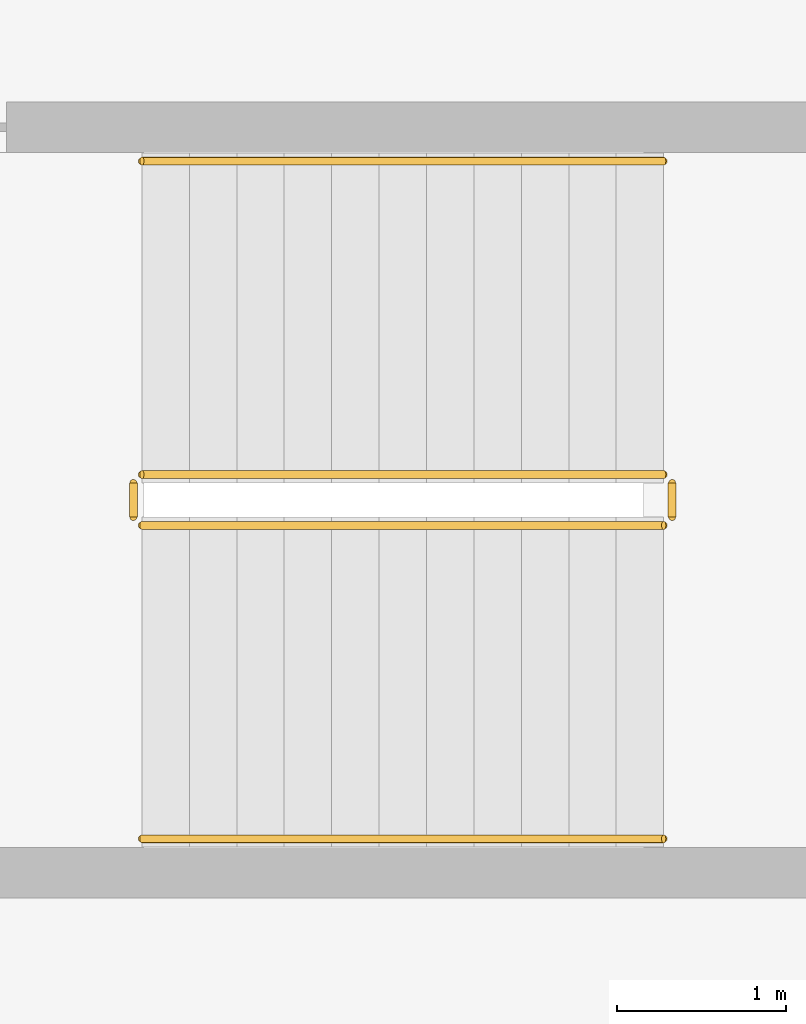
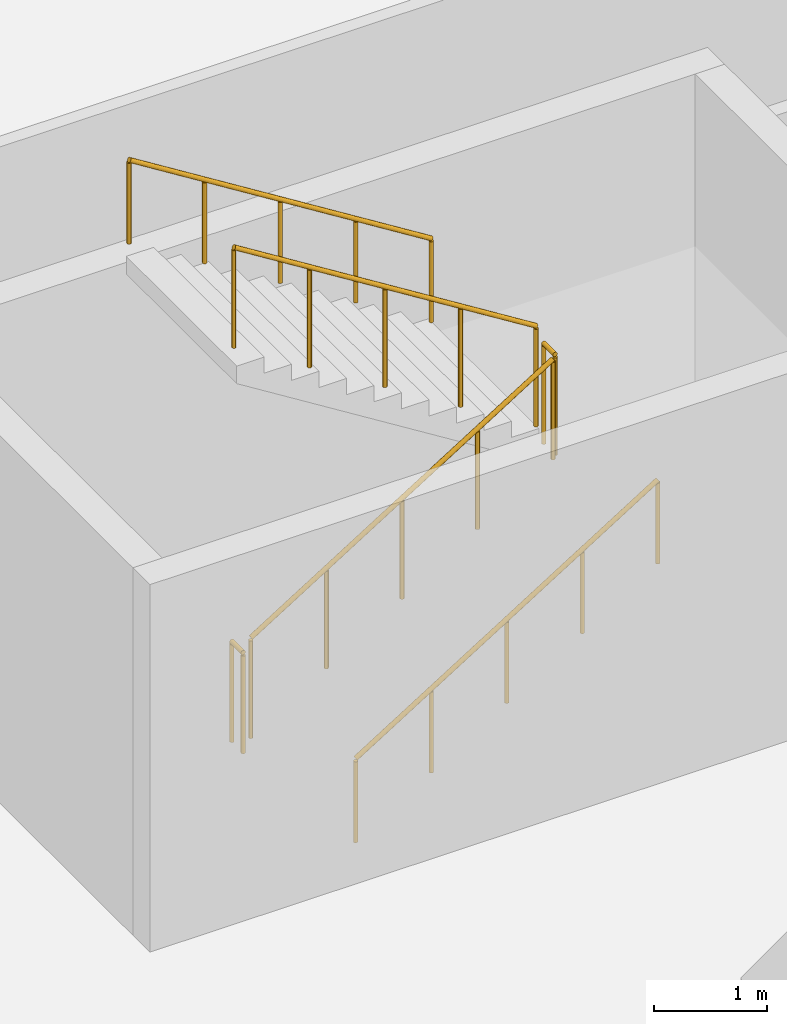
# One storey, part 105 of 107: 6 railings.
"""IFC4 building model written with IfcOpenShell, lengths in metres."""

from ifc_helpers import new_model, si_unit, direction, frame, origin, origin_2d, place, context, subcontext, project, spatial, circle, extrude, material, layer, layer_set, type_object, element, save


model = new_model("IFC4")

# Units and contexts
model_context = context("Model", 3, precision=1e-05, world=origin(), true_north=direction((0.0, 1.0)))
body_context = subcontext(model_context, "Body", "Model", "MODEL_VIEW")
ifc_project = project(units=[si_unit("LENGTHUNIT", "METRE"), si_unit("AREAUNIT", "SQUARE_METRE"), si_unit("VOLUMEUNIT", "CUBIC_METRE"), si_unit("PLANEANGLEUNIT", "RADIAN"), si_unit("MASSUNIT", "GRAM", prefix="KILO")], contexts=[model_context])

# Site, building, storey
site_placement = place(None, origin())
site = spatial("IfcSite", under=ifc_project, at=site_placement, CompositionType="ELEMENT")
building_placement = place(site_placement, origin())
building = spatial("IfcBuilding", under=site, at=building_placement, Name="Chiffa Square Polytechnic", CompositionType="ELEMENT")
storey_placement = place(building_placement, frame((0.0, 0.0, 13.800048828125)))
storey = spatial("IfcBuildingStorey", under=building, at=storey_placement, Name="L03", CompositionType="ELEMENT", Elevation=13.800048828125)

# Railings
ifc_material = material(Name="Steel S355", Category="steel")
ifc_layer_1 = layer(ifc_material, 0.050048828125, Name="Steel S355")
ifc_layer_set_1 = layer_set([ifc_layer_1], Name="Steel S355")
railing_type_1 = type_object("IfcRailingType", Name="RL-STAIR-GUARD", PredefinedType="GUARDRAIL", material=ifc_layer_set_1)
railing_1_placement = place(storey_placement, frame((96.199951171875, 110.60009765625, 0.175048828125)))
element("IfcRailing", 1, at=railing_1_placement, inside=storey, type_object=railing_type_1, Name="L03 ST-V5B stair guard 1", PredefinedType="GUARDRAIL", context=body_context, shape_type="SweptSolid", body=[
    extrude(circle(Radius=0.02392578125, at=origin_2d()), frame((0.0, 0.0, 1.076171875), z_axis=(0.848028513186, 0.0, 0.529950602248), x_axis=(0.0, 1.0, 0.0)), (0.0, 0.0, 1.0), 3.632080078125),
    extrude(circle(Radius=0.02099609375, at=origin_2d()), origin(), (0.0, 0.0, 1.0), 1.052001953125),
    extrude(circle(Radius=0.02099609375, at=origin_2d()), frame((0.77001953125, 0.0, 0.481201171875)), (0.0, 0.0, 1.0), 1.052001953125),
    extrude(circle(Radius=0.02099609375, at=origin_2d()), frame((1.5400390625, 0.0, 0.96240234375)), (0.0, 0.0, 1.0), 1.052001953125),
    extrude(circle(Radius=0.02099609375, at=origin_2d()), frame((2.31005859375, 0.0, 1.443603515625)), (0.0, 0.0, 1.0), 1.052001953125),
    extrude(circle(Radius=0.02099609375, at=origin_2d()), frame((3.080078125, 0.0, 1.9248046875)), (0.0, 0.0, 1.0), 1.052001953125),
])
railing_2_placement = place(storey_placement, frame((99.330078125, 110.64990234375, 2.099853515625)))
element("IfcRailing", 2, at=railing_2_placement, inside=storey, type_object=railing_type_1, Name="L03 ST-V5B stair guard 2", PredefinedType="GUARDRAIL", context=body_context, shape_type="SweptSolid", body=[
    extrude(circle(Radius=0.02392578125, at=origin_2d()), frame((0.0, 0.0, 1.076171875), z_axis=(0.0, 1.0, 0.0), x_axis=(-1.0, 0.0, 0.0)), (0.0, 0.0, 1.0), 0.2001953125),
    extrude(circle(Radius=0.02099609375, at=origin_2d()), origin(), (0.0, 0.0, 1.0), 1.052001953125),
    extrude(circle(Radius=0.02099609375, at=origin_2d()), frame((0.0, 0.2001953125, 0.0)), (0.0, 0.0, 1.0), 1.052001953125),
])
railing_3_placement = place(storey_placement, frame((99.280029296875, 110.89990234375, 2.27490234375)))
element("IfcRailing", 3, at=railing_3_placement, inside=storey, type_object=railing_type_1, Name="L03 ST-V5B stair guard 3", PredefinedType="GUARDRAIL", context=body_context, shape_type="SweptSolid", body=[
    extrude(circle(Radius=0.02392578125, at=origin_2d()), frame((0.0, 0.0, 1.076171875), z_axis=(-0.847998304005, 0.0, 0.529998940003), x_axis=(0.0, -1.0, 0.0)), (0.0, 0.0, 1.0), 3.632080078125),
    extrude(circle(Radius=0.02099609375, at=origin_2d()), origin(), (0.0, 0.0, 1.0), 1.052001953125),
    extrude(circle(Radius=0.02099609375, at=origin_2d()), frame((-0.77001953125, 0.0, 0.481201171875)), (0.0, 0.0, 1.0), 1.052001953125),
    extrude(circle(Radius=0.02099609375, at=origin_2d()), frame((-1.5400390625, 0.0, 0.96240234375)), (0.0, 0.0, 1.0), 1.052001953125),
    extrude(circle(Radius=0.02099609375, at=origin_2d()), frame((-2.31005859375, 0.0, 1.44384765625)), (0.0, 0.0, 1.0), 1.052001953125),
    extrude(circle(Radius=0.02099609375, at=origin_2d()), frame((-3.080078125, 0.0, 1.925048828125)), (0.0, 0.0, 1.0), 1.052001953125),
])
railing_4_placement = place(storey_placement, frame((96.14990234375, 110.64990234375, 0.0)))
element("IfcRailing", 4, at=railing_4_placement, inside=storey, type_object=railing_type_1, Name="L03 ST-V5B stair guard 4", PredefinedType="GUARDRAIL", context=body_context, shape_type="SweptSolid", body=[
    extrude(circle(Radius=0.02392578125, at=origin_2d()), frame((0.0, 0.0, 1.076171875), z_axis=(0.0, 1.0, 0.0), x_axis=(-1.0, 0.0, 0.0)), (0.0, 0.0, 1.0), 0.2001953125),
    extrude(circle(Radius=0.02099609375, at=origin_2d()), origin(), (0.0, 0.0, 1.0), 1.052001953125),
    extrude(circle(Radius=0.02099609375, at=origin_2d()), frame((0.0, 0.2001953125, 0.0)), (0.0, 0.0, 1.0), 1.052001953125),
])
ifc_layer_2 = layer(ifc_material, 0.044921875, Name="Steel S355")
ifc_layer_set_2 = layer_set([ifc_layer_2], Name="Steel S355")
railing_type_2 = type_object("IfcRailingType", Name="RL-STAIR-HAND", PredefinedType="HANDRAIL", material=ifc_layer_set_2)
railing_5_placement = place(storey_placement, frame((96.199951171875, 108.75, 0.175048828125)))
element("IfcRailing", 5, at=railing_5_placement, inside=storey, type_object=railing_type_2, Name="L03 ST-V5B stair handrail 1", PredefinedType="HANDRAIL", context=body_context, shape_type="SweptSolid", body=[
    extrude(circle(Radius=0.02392578125, at=origin_2d()), frame((0.0, 0.0, 0.89599609375), z_axis=(0.848028513186, 0.0, 0.529950602248), x_axis=(0.0, 1.0, 0.0)), (0.0, 0.0, 1.0), 3.632080078125),
    extrude(circle(Radius=0.02099609375, at=origin_2d()), origin(), (0.0, 0.0, 1.0), 0.871826171875),
    extrude(circle(Radius=0.02099609375, at=origin_2d()), frame((0.77001953125, 0.0, 0.481201171875)), (0.0, 0.0, 1.0), 0.871826171875),
    extrude(circle(Radius=0.02099609375, at=origin_2d()), frame((1.5400390625, 0.0, 0.96240234375)), (0.0, 0.0, 1.0), 0.871826171875),
    extrude(circle(Radius=0.02099609375, at=origin_2d()), frame((2.31005859375, 0.0, 1.443603515625)), (0.0, 0.0, 1.0), 0.871826171875),
    extrude(circle(Radius=0.02099609375, at=origin_2d()), frame((3.080078125, 0.0, 1.9248046875)), (0.0, 0.0, 1.0), 0.871826171875),
])
railing_6_placement = place(storey_placement, frame((99.280029296875, 112.75, 2.27490234375)))
element("IfcRailing", 6, at=railing_6_placement, inside=storey, type_object=railing_type_2, Name="L03 ST-V5B stair handrail 2", PredefinedType="HANDRAIL", context=body_context, shape_type="SweptSolid", body=[
    extrude(circle(Radius=0.02392578125, at=origin_2d()), frame((0.0, 0.0, 0.89599609375), z_axis=(-0.847998304005, 0.0, 0.529998940003), x_axis=(0.0, -1.0, 0.0)), (0.0, 0.0, 1.0), 3.632080078125),
    extrude(circle(Radius=0.02099609375, at=origin_2d()), origin(), (0.0, 0.0, 1.0), 0.871826171875),
    extrude(circle(Radius=0.02099609375, at=origin_2d()), frame((-0.77001953125, 0.0, 0.481201171875)), (0.0, 0.0, 1.0), 0.871826171875),
    extrude(circle(Radius=0.02099609375, at=origin_2d()), frame((-1.5400390625, 0.0, 0.96240234375)), (0.0, 0.0, 1.0), 0.871826171875),
    extrude(circle(Radius=0.02099609375, at=origin_2d()), frame((-2.31005859375, 0.0, 1.44384765625)), (0.0, 0.0, 1.0), 0.871826171875),
    extrude(circle(Radius=0.02099609375, at=origin_2d()), frame((-3.080078125, 0.0, 1.925048828125)), (0.0, 0.0, 1.0), 0.871826171875),
])

save(model, "model.ifc")
